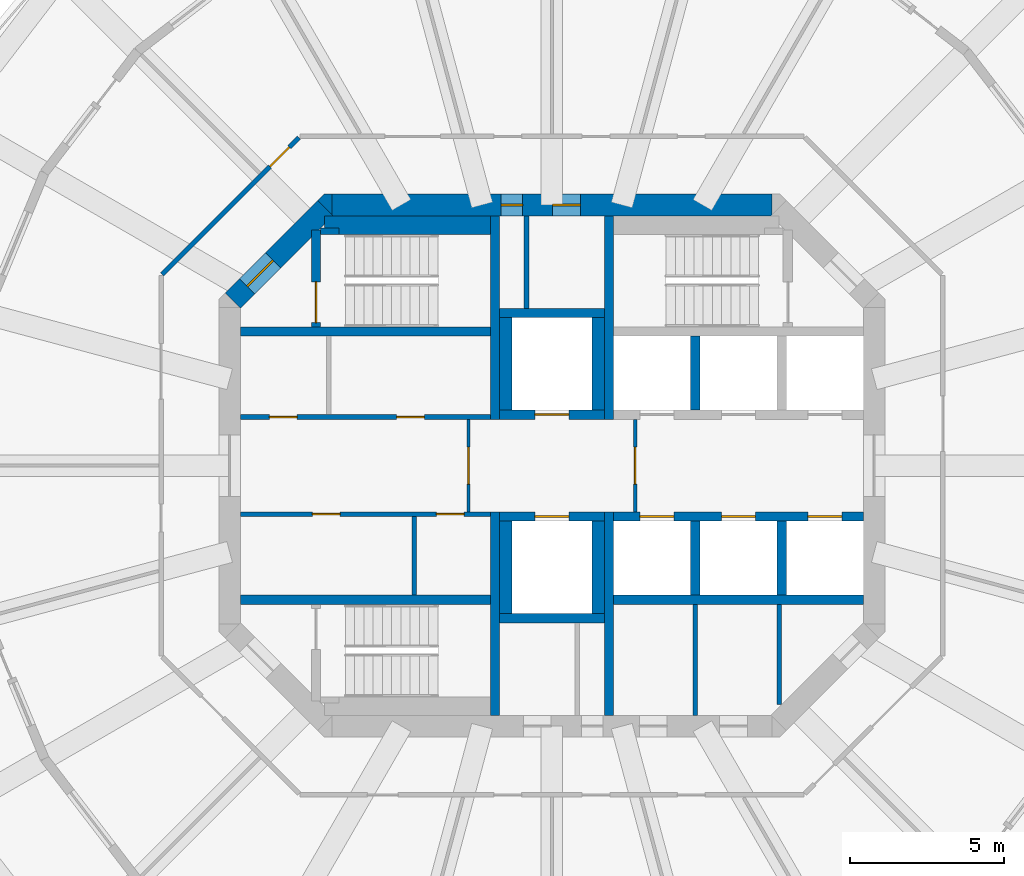
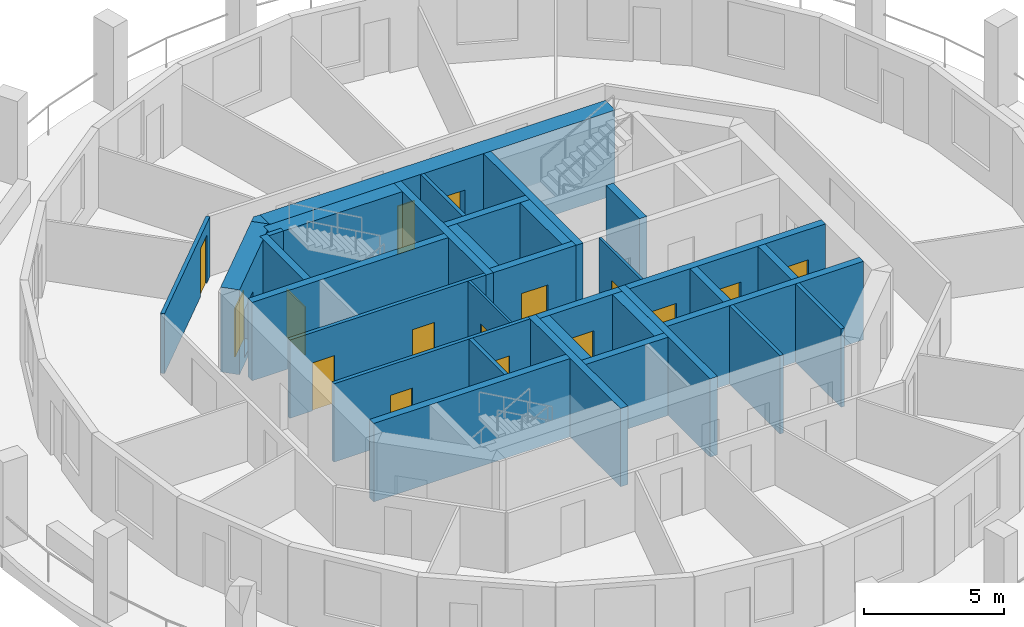
# One storey, part 4 of 9: 34 walls, 16 doors, 16 openings.
"""IFC4 building model written with IfcOpenShell, lengths in metres."""

from ifc_helpers import new_model, si_unit, direction, frame, frame_2d, origin, place, context, subcontext, project, spatial, polyline, rectangle, outline, extrude, material, layer, layer_set, type_object, element, fill, save


model = new_model("IFC4")

# Units and contexts
model_context = context("Model", 3, precision=1e-05, world=origin(), true_north=direction((0.0, 1.0)))
body_context = subcontext(model_context, "Body", "Model", "MODEL_VIEW")
ifc_project = project(units=[si_unit("LENGTHUNIT", "METRE"), si_unit("AREAUNIT", "SQUARE_METRE"), si_unit("VOLUMEUNIT", "CUBIC_METRE"), si_unit("PLANEANGLEUNIT", "RADIAN"), si_unit("MASSUNIT", "GRAM", prefix="KILO")], contexts=[model_context])

# Site, building, storey
site_placement = place(None, origin())
site = spatial("IfcSite", under=ifc_project, at=site_placement, CompositionType="ELEMENT")
building_placement = place(site_placement, origin())
building = spatial("IfcBuilding", under=site, at=building_placement, Name="Torre Triforio", CompositionType="ELEMENT")
storey_placement = place(building_placement, frame((0.0, 0.0, 176.39990234375)))
storey = spatial("IfcBuildingStorey", under=building, at=storey_placement, Name="L40", CompositionType="ELEMENT", Elevation=176.39990234375)

# Walls
ifc_material_1 = material(Name="Concrete C50", Category="concrete")
ifc_layer_1 = layer(ifc_material_1, 0.300048828125)
ifc_layer_set_1 = layer_set([ifc_layer_1], Name="Concrete C50")
wall_type_1 = type_object("IfcWallType", Name="Core wall 300 mm C50 EI 120", PredefinedType="SHEAR", material=ifc_layer_set_1)
for number, where, z_axis, x_axis, name in (
    (1, (-1.85009765625, 1.5, 0.0), (0.0, 0.0, 1.0), (0.0, 1.0, 0.0), "Core wall"),
    (2, (-1.85009765625, -8.10009765625, 0.0), (0.0, 0.0, 1.0), (0.0, 1.0, 0.0), "Core wall"),
    (3, (1.85009765625, 1.5, 0.0), (0.0, 0.0, 1.0), (0.0, 1.0, 0.0), "Core wall"),
    (4, (1.85009765625, -8.10009765625, 0.0), (0.0, 0.0, 1.0), (0.0, 1.0, 0.0), "Core wall"),
):
    element("IfcWall", number, at=place(storey_placement, frame(where, z_axis=z_axis, x_axis=x_axis)), inside=storey, type_object=wall_type_1, Name=name, PredefinedType="SHEAR", context=body_context, shape_type="SweptSolid", body=[
        extrude(rectangle(XDim=6.60009765625, YDim=0.300048828125, at=frame_2d((3.300048828125, 0.0))), origin(), (0.0, 0.0, 1.0), 3.420166015625),
    ])

# Wall, openings, doors
ifc_layer_2 = layer(ifc_material_1, 0.699951171875)
ifc_layer_set_2 = layer_set([ifc_layer_2], Name="Concrete C50")
wall_type_2 = type_object("IfcWallType", Name="Core wall 700 mm C50 EI 120", PredefinedType="SHEAR", material=ifc_layer_set_2)
wall_1_placement = place(storey_placement, frame((-7.1298828125, 8.449951171875, -0.27978515625), z_axis=(0.0, 0.0, 1.0), x_axis=(1.0, 0.0, 0.0)))
wall_1 = element("IfcWall", 5, at=wall_1_placement, inside=storey, type_object=wall_type_2, Name="Core wall", PredefinedType="SHEAR", context=body_context, shape_type="SweptSolid", body=[
    extrude(rectangle(XDim=14.259765625, YDim=0.699951171875, at=frame_2d((7.1298828125, 0.0))), origin(), (0.0, 0.0, 1.0), 3.699951171875),
])
opening_1_placement = place(wall_1_placement, frame((5.47998046875, 0.0, 0.280029296875)))
opening_1 = element("IfcOpeningElement", 6, at=opening_1_placement, cuts=wall_1, Name="Opening RISER-N", PredefinedType="OPENING", context=body_context, shape_type="SweptSolid", body=[
    extrude(rectangle(XDim=0.699951171875, YDim=2.10009765625, at=frame_2d((0.35009765625, 1.050048828125))), frame((0.0, 0.35986328125, 0.0), z_axis=(0.0, -1.0, 0.0), x_axis=(1.0, 0.0, 0.0)), (0.0, 0.0, 1.0), 0.719970703125),
])
opening_2_placement = place(wall_1_placement, frame((7.155029296875, 0.0, 0.280029296875)))
opening_2 = element("IfcOpeningElement", 7, at=opening_2_placement, cuts=wall_1, Name="Opening NE-01", PredefinedType="OPENING", context=body_context, shape_type="SweptSolid", body=[
    extrude(rectangle(XDim=0.89990234375, YDim=2.10009765625, at=frame_2d((0.449951171875, 1.050048828125))), frame((0.0, 0.35986328125, 0.0), z_axis=(0.0, -1.0, 0.0), x_axis=(1.0, 0.0, 0.0)), (0.0, 0.0, 1.0), 0.719970703125),
])
ifc_material_2 = material(Name="Hollow metal fire door leaf")
door_type_1 = type_object("IfcDoorType", Name="Riser door 700 x 2100 EI 60", OperationType="NOTDEFINED", PredefinedType="DOOR", material=ifc_material_2)
door_1_placement = place(opening_1_placement, origin())
door_1 = element("IfcDoor", 8, at=door_1_placement, inside=storey, type_object=door_type_1, Name="Core door RISER-N", OperationType="SINGLE_SWING_LEFT", OverallHeight=2.10009765625, OverallWidth=0.699951171875, PredefinedType="DOOR", context=body_context, shape_type="SweptSolid", body=[
    extrude(rectangle(XDim=0.699951171875, YDim=2.10009765625, at=frame_2d((0.35009765625, 1.050048828125))), frame((0.0, 0.02490234375, 0.0), z_axis=(0.0, -1.0, 0.0), x_axis=(1.0, 0.0, 0.0)), (0.0, 0.0, 1.0), 0.050048828125),
])
fill(opening_1, door_1)
door_type_2 = type_object("IfcDoorType", Name="Room door 900 x 2100 EI 60", OperationType="NOTDEFINED", PredefinedType="DOOR", material=ifc_material_2)
door_2_placement = place(opening_2_placement, origin())
door_2 = element("IfcDoor", 9, at=door_2_placement, inside=storey, type_object=door_type_2, Name="Core door NE-01", OperationType="SINGLE_SWING_RIGHT", OverallHeight=2.10009765625, OverallWidth=0.89990234375, PredefinedType="DOOR", context=body_context, shape_type="SweptSolid", body=[
    extrude(rectangle(XDim=0.89990234375, YDim=2.10009765625, at=frame_2d((0.449951171875, 1.050048828125))), frame((0.0, 0.02490234375, 0.0), z_axis=(0.0, -1.0, 0.0), x_axis=(1.0, 0.0, 0.0)), (0.0, 0.0, 1.0), 0.050048828125),
])
fill(opening_2, door_2)

# Wall, opening, door
wall_2_placement = place(storey_placement, frame((-10.347412109375, 5.347412109375, -0.27978515625), z_axis=(0.0, 0.0, 1.0), x_axis=(0.707106781187, 0.707106781187, 0.0)))
wall_2 = element("IfcWall", 10, at=wall_2_placement, inside=storey, type_object=wall_type_2, Name="Core wall", PredefinedType="SHEAR", context=body_context, shape_type="SweptSolid", body=[
    extrude(rectangle(XDim=4.24267578125, YDim=0.699951171875, at=frame_2d((2.121337890625, 0.0))), origin(), (0.0, 0.0, 1.0), 3.699951171875),
])
opening_3_placement = place(wall_2_placement, frame((0.64990234375, 0.0, 0.280029296875)))
opening_3 = element("IfcOpeningElement", 11, at=opening_3_placement, cuts=wall_2, Name="Opening ST1-EXIT", PredefinedType="OPENING", context=body_context, shape_type="SweptSolid", body=[
    extrude(rectangle(XDim=1.199951171875, YDim=2.10009765625, at=frame_2d((0.60009765625, 1.050048828125))), frame((0.0, 0.35986328125, 0.0), z_axis=(0.0, -1.0, 0.0), x_axis=(1.0, 0.0, 0.0)), (0.0, 0.0, 1.0), 0.719970703125),
])
door_type_3 = type_object("IfcDoorType", Name="Stair lobby door 1200 x 2100 EI 60", OperationType="NOTDEFINED", PredefinedType="DOOR", material=ifc_material_2)
door_3_placement = place(opening_3_placement, origin())
door_3 = element("IfcDoor", 12, at=door_3_placement, inside=storey, type_object=door_type_3, Name="Core door ST1-EXIT", OperationType="SINGLE_SWING_RIGHT", OverallHeight=2.10009765625, OverallWidth=1.199951171875, PredefinedType="DOOR", context=body_context, shape_type="SweptSolid", body=[
    extrude(rectangle(XDim=1.199951171875, YDim=2.10009765625, at=frame_2d((0.60009765625, 1.050048828125))), frame((0.0, 0.02490234375, 0.0), z_axis=(0.0, -1.0, 0.0), x_axis=(1.0, 0.0, 0.0)), (0.0, 0.0, 1.0), 0.050048828125),
])
fill(opening_3, door_3)

# Wall
wall_3_placement = place(storey_placement, frame((0.0, 0.0, -0.27978515625)))
element("IfcWall", 13, at=wall_3_placement, inside=storey, type_object=wall_type_2, Name="Core wall", PredefinedType="SHEAR", context=body_context, shape_type="SweptSolid", body=[
    extrude(outline(polyline([(-7.389892578125, 8.800048828125), (-7.1298828125, 8.800048828125), (-7.1298828125, 8.800048828125), (-7.1298828125, 8.1298828125), (-7.594970703125, 8.594970703125), (-7.594970703125, 8.594970703125), (-7.594970703125, 8.594970703125), (-7.389892578125, 8.800048828125)])), origin(), (0.0, 0.0, 1.0), 3.699951171875),
])

# Wall, opening, door
ifc_material_3 = material(Name="Plasterboard on metal studs")
ifc_layer_3 = layer(ifc_material_3, 0.14990234375)
ifc_layer_set_3 = layer_set([ifc_layer_3], Name="Plasterboard on metal studs")
wall_type_3 = type_object("IfcWallType", Name="Corridor and tenancy wall 150 mm EI 60", PredefinedType="PARTITIONING", material=ifc_layer_set_3)
wall_4_placement = place(storey_placement, frame((-12.637939453125, 6.20361328125, 0.0), z_axis=(0.0, 0.0, 1.0), x_axis=(0.707106781187, 0.707106781187, 0.0)))
wall_4 = element("IfcWall", 14, at=wall_4_placement, inside=storey, type_object=wall_type_3, Name="Partition 5", PredefinedType="PARTITIONING", context=body_context, shape_type="SweptSolid", body=[
    extrude(rectangle(XDim=6.27099609375, YDim=0.14990234375, at=frame_2d((3.135498046875, 0.0))), origin(), (0.0, 0.0, 1.0), 2.6201171875),
])
opening_4_placement = place(wall_4_placement, frame((4.935302734375, 0.0, 0.0)))
opening_4 = element("IfcOpeningElement", 15, at=opening_4_placement, cuts=wall_4, Name="Opening O3-15", PredefinedType="OPENING", context=body_context, shape_type="SweptSolid", body=[
    extrude(rectangle(XDim=0.89990234375, YDim=2.10009765625, at=frame_2d((0.449951171875, 1.050048828125))), frame((0.0, 0.0849609375, 0.0), z_axis=(0.0, -1.0, 0.0), x_axis=(1.0, 0.0, 0.0)), (0.0, 0.0, 1.0), 0.169921875),
])
ifc_material_4 = material(Name="Timber", Category="wood")
door_type_4 = type_object("IfcDoorType", Name="Door 900 x 2100 single leaf EI 30", OperationType="NOTDEFINED", PredefinedType="DOOR", material=ifc_material_4)
door_4_placement = place(opening_4_placement, origin())
door_4 = element("IfcDoor", 16, at=door_4_placement, inside=storey, type_object=door_type_4, Name="Door O3-15", OperationType="SINGLE_SWING_LEFT", OverallHeight=2.10009765625, OverallWidth=0.89990234375, PredefinedType="DOOR", context=body_context, shape_type="SweptSolid", body=[
    extrude(rectangle(XDim=0.89990234375, YDim=2.10009765625, at=frame_2d((0.449951171875, 1.050048828125))), frame((0.0, 0.02490234375, 0.0), z_axis=(0.0, -1.0, 0.0), x_axis=(1.0, 0.0, 0.0)), (0.0, 0.0, 1.0), 0.050048828125),
])
fill(opening_4, door_4)

ifc_material_5 = material(Name="Block and board partition")
ifc_layer_4 = layer(ifc_material_5, 0.10009765625)
ifc_layer_set_4 = layer_set([ifc_layer_4], Name="Block and board partition")
wall_type_4 = type_object("IfcWallType", Name="Partition 100 mm EI 120", PredefinedType="PARTITIONING", material=ifc_layer_set_4)
wall_5_placement = place(storey_placement, frame((-2.699951171875, -1.5, 0.0), z_axis=(0.0, 0.0, 1.0), x_axis=(0.0, 1.0, 0.0)))
wall_5 = element("IfcWall", 17, at=wall_5_placement, inside=storey, type_object=wall_type_4, Name="Partition", PredefinedType="PARTITIONING", context=body_context, shape_type="SweptSolid", body=[
    extrude(rectangle(XDim=3.0, YDim=0.10009765625, at=frame_2d((1.5, 0.0))), origin(), (0.0, 0.0, 1.0), 3.420166015625),
])
opening_5_placement = place(wall_5_placement, frame((0.89990234375, 0.0, 0.0)))
opening_5 = element("IfcOpeningElement", 18, at=opening_5_placement, cuts=wall_5, Name="Opening FF-W", PredefinedType="OPENING", context=body_context, shape_type="SweptSolid", body=[
    extrude(rectangle(XDim=1.199951171875, YDim=2.10009765625, at=frame_2d((0.60009765625, 1.050048828125))), frame((0.0, 0.06005859375, 0.0), z_axis=(0.0, -1.0, 0.0), x_axis=(1.0, 0.0, 0.0)), (0.0, 0.0, 1.0), 0.1201171875),
])
door_type_5 = type_object("IfcDoorType", Name="Fire-fighting lobby door 1200 x 2100 EI 60", OperationType="NOTDEFINED", PredefinedType="DOOR", material=ifc_material_2)
door_5_placement = place(opening_5_placement, origin())
door_5 = element("IfcDoor", 19, at=door_5_placement, inside=storey, type_object=door_type_5, Name="Core door FF-W", OperationType="SINGLE_SWING_LEFT", OverallHeight=2.10009765625, OverallWidth=1.199951171875, PredefinedType="DOOR", context=body_context, shape_type="SweptSolid", body=[
    extrude(rectangle(XDim=1.199951171875, YDim=2.10009765625, at=frame_2d((0.60009765625, 1.050048828125))), frame((0.0, 0.02490234375, 0.0), z_axis=(0.0, -1.0, 0.0), x_axis=(1.0, 0.0, 0.0)), (0.0, 0.0, 1.0), 0.050048828125),
])
fill(opening_5, door_5)

wall_6_placement = place(storey_placement, frame((2.699951171875, -1.5, 0.0), z_axis=(0.0, 0.0, 1.0), x_axis=(0.0, 1.0, 0.0)))
wall_6 = element("IfcWall", 20, at=wall_6_placement, inside=storey, type_object=wall_type_4, Name="Partition", PredefinedType="PARTITIONING", context=body_context, shape_type="SweptSolid", body=[
    extrude(rectangle(XDim=3.0, YDim=0.10009765625, at=frame_2d((1.5, 0.0))), origin(), (0.0, 0.0, 1.0), 3.420166015625),
])
opening_6_placement = place(wall_6_placement, frame((0.89990234375, 0.0, 0.0)))
opening_6 = element("IfcOpeningElement", 21, at=opening_6_placement, cuts=wall_6, Name="Opening FF-E", PredefinedType="OPENING", context=body_context, shape_type="SweptSolid", body=[
    extrude(rectangle(XDim=1.199951171875, YDim=2.10009765625, at=frame_2d((0.60009765625, 1.050048828125))), frame((0.0, 0.06005859375, 0.0), z_axis=(0.0, -1.0, 0.0), x_axis=(1.0, 0.0, 0.0)), (0.0, 0.0, 1.0), 0.1201171875),
])
door_6_placement = place(opening_6_placement, origin())
door_6 = element("IfcDoor", 22, at=door_6_placement, inside=storey, type_object=door_type_5, Name="Core door FF-E", OperationType="SINGLE_SWING_LEFT", OverallHeight=2.10009765625, OverallWidth=1.199951171875, PredefinedType="DOOR", context=body_context, shape_type="SweptSolid", body=[
    extrude(rectangle(XDim=1.199951171875, YDim=2.10009765625, at=frame_2d((0.60009765625, 1.050048828125))), frame((0.0, 0.02490234375, 0.0), z_axis=(0.0, -1.0, 0.0), x_axis=(1.0, 0.0, 0.0)), (0.0, 0.0, 1.0), 0.050048828125),
])
fill(opening_6, door_6)

# Walls
ifc_layer_5 = layer(ifc_material_5, 0.14990234375)
ifc_layer_set_5 = layer_set([ifc_layer_5], Name="Block and board partition")
wall_type_5 = type_object("IfcWallType", Name="Partition 150 mm", PredefinedType="PARTITIONING", material=ifc_layer_set_5)
wall_7_placement = place(storey_placement, frame((4.64892578125, -8.10009765625, 0.0), z_axis=(0.0, 0.0, 1.0), x_axis=(0.0, 1.0, 0.0)))
element("IfcWall", 23, at=wall_7_placement, inside=storey, type_object=wall_type_5, Name="Partition", PredefinedType="PARTITIONING", context=body_context, shape_type="SweptSolid", body=[
    extrude(rectangle(XDim=3.60009765625, YDim=0.14990234375, at=frame_2d((1.800048828125, 0.0))), origin(), (0.0, 0.0, 1.0), 3.420166015625),
])
wall_8_placement = place(storey_placement, frame((7.373046875, -7.751953125, 0.0), z_axis=(0.0, 0.0, 1.0), x_axis=(0.0, 1.0, 0.0)))
element("IfcWall", 24, at=wall_8_placement, inside=storey, type_object=wall_type_5, Name="Partition", PredefinedType="PARTITIONING", context=body_context, shape_type="SweptSolid", body=[
    extrude(rectangle(XDim=3.251953125, YDim=0.14990234375, at=frame_2d((1.6259765625, 0.0))), origin(), (0.0, 0.0, 1.0), 3.420166015625),
])
wall_9_placement = place(storey_placement, frame((-4.4599609375, -4.199951171875, 0.0), z_axis=(0.0, 0.0, 1.0), x_axis=(0.0, 1.0, 0.0)))
element("IfcWall", 25, at=wall_9_placement, inside=storey, type_object=wall_type_5, Name="Partition", PredefinedType="PARTITIONING", context=body_context, shape_type="SweptSolid", body=[
    extrude(rectangle(XDim=2.550048828125, YDim=0.14990234375, at=frame_2d((1.27490234375, 0.0))), origin(), (0.0, 0.0, 1.0), 3.420166015625),
])
ifc_layer_6 = layer(ifc_material_5, 0.14990234375)
ifc_layer_set_6 = layer_set([ifc_layer_6], Name="Block and board partition")
wall_type_6 = type_object("IfcWallType", Name="Partition 150 mm EI 120", PredefinedType="PARTITIONING", material=ifc_layer_set_6)
wall_10_placement = place(storey_placement, frame((-0.824951171875, 5.10009765625, 0.0), z_axis=(0.0, 0.0, 1.0), x_axis=(0.0, 1.0, 0.0)))
element("IfcWall", 26, at=wall_10_placement, inside=storey, type_object=wall_type_6, Name="Partition", PredefinedType="PARTITIONING", context=body_context, shape_type="SweptSolid", body=[
    extrude(rectangle(XDim=3.0, YDim=0.14990234375, at=frame_2d((1.5, 0.0))), origin(), (0.0, 0.0, 1.0), 3.420166015625),
])

# Wall, openings, doors
wall_11_placement = place(storey_placement, frame((-10.10009765625, 1.574951171875, 0.0), z_axis=(0.0, 0.0, 1.0), x_axis=(1.0, 0.0, 0.0)))
wall_11 = element("IfcWall", 27, at=wall_11_placement, inside=storey, type_object=wall_type_6, Name="Partition", PredefinedType="PARTITIONING", context=body_context, shape_type="SweptSolid", body=[
    extrude(rectangle(XDim=8.10009765625, YDim=0.14990234375, at=frame_2d((4.050048828125, 0.0))), origin(), (0.0, 0.0, 1.0), 3.420166015625),
])
opening_7_placement = place(wall_11_placement, frame((0.941162109375, 0.0, 0.0)))
opening_7 = element("IfcOpeningElement", 28, at=opening_7_placement, cuts=wall_11, Name="Opening FN-01A", PredefinedType="OPENING", context=body_context, shape_type="SweptSolid", body=[
    extrude(rectangle(XDim=0.89990234375, YDim=2.10009765625, at=frame_2d((0.449951171875, 1.050048828125))), frame((0.0, 0.0849609375, 0.0), z_axis=(0.0, -1.0, 0.0), x_axis=(1.0, 0.0, 0.0)), (0.0, 0.0, 1.0), 0.169921875),
])
opening_8_placement = place(wall_11_placement, frame((5.066162109375, 0.0, 0.0)))
opening_8 = element("IfcOpeningElement", 29, at=opening_8_placement, cuts=wall_11, Name="Opening FN-02", PredefinedType="OPENING", context=body_context, shape_type="SweptSolid", body=[
    extrude(rectangle(XDim=0.89990234375, YDim=2.10009765625, at=frame_2d((0.449951171875, 1.050048828125))), frame((0.0, 0.0849609375, 0.0), z_axis=(0.0, -1.0, 0.0), x_axis=(1.0, 0.0, 0.0)), (0.0, 0.0, 1.0), 0.169921875),
])
door_type_6 = type_object("IfcDoorType", Name="Plant room door 900 x 2100 EI 60", OperationType="NOTDEFINED", PredefinedType="DOOR", material=ifc_material_2)
door_7_placement = place(opening_7_placement, origin())
door_7 = element("IfcDoor", 30, at=door_7_placement, inside=storey, type_object=door_type_6, Name="Core door FN-01", OperationType="SINGLE_SWING_RIGHT", OverallHeight=2.10009765625, OverallWidth=0.89990234375, PredefinedType="DOOR", context=body_context, shape_type="SweptSolid", body=[
    extrude(rectangle(XDim=0.89990234375, YDim=2.10009765625, at=frame_2d((0.449951171875, 1.050048828125))), frame((0.0, 0.02490234375, 0.0), z_axis=(0.0, -1.0, 0.0), x_axis=(1.0, 0.0, 0.0)), (0.0, 0.0, 1.0), 0.050048828125),
])
fill(opening_7, door_7)
door_8_placement = place(opening_8_placement, origin())
door_8 = element("IfcDoor", 31, at=door_8_placement, inside=storey, type_object=door_type_2, Name="Core door FN-02", OperationType="SINGLE_SWING_RIGHT", OverallHeight=2.10009765625, OverallWidth=0.89990234375, PredefinedType="DOOR", context=body_context, shape_type="SweptSolid", body=[
    extrude(rectangle(XDim=0.89990234375, YDim=2.10009765625, at=frame_2d((0.449951171875, 1.050048828125))), frame((0.0, 0.02490234375, 0.0), z_axis=(0.0, -1.0, 0.0), x_axis=(1.0, 0.0, 0.0)), (0.0, 0.0, 1.0), 0.050048828125),
])
fill(opening_8, door_8)

wall_12_placement = place(storey_placement, frame((-10.10009765625, -1.574951171875, 0.0), z_axis=(0.0, 0.0, 1.0), x_axis=(1.0, 0.0, 0.0)))
wall_12 = element("IfcWall", 32, at=wall_12_placement, inside=storey, type_object=wall_type_6, Name="Partition", PredefinedType="PARTITIONING", context=body_context, shape_type="SweptSolid", body=[
    extrude(rectangle(XDim=8.10009765625, YDim=0.14990234375, at=frame_2d((4.050048828125, 0.0))), origin(), (0.0, 0.0, 1.0), 3.420166015625),
])
opening_9_placement = place(wall_12_placement, frame((2.33251953125, 0.0, 0.0)))
opening_9 = element("IfcOpeningElement", 33, at=opening_9_placement, cuts=wall_12, Name="Opening FS-01", PredefinedType="OPENING", context=body_context, shape_type="SweptSolid", body=[
    extrude(rectangle(XDim=0.89990234375, YDim=2.10009765625, at=frame_2d((0.449951171875, 1.050048828125))), frame((0.0, 0.0849609375, 0.0), z_axis=(0.0, -1.0, 0.0), x_axis=(1.0, 0.0, 0.0)), (0.0, 0.0, 1.0), 0.169921875),
])
opening_10_placement = place(wall_12_placement, frame((6.35009765625, 0.0, 0.0)))
opening_10 = element("IfcOpeningElement", 34, at=opening_10_placement, cuts=wall_12, Name="Opening FS-02A", PredefinedType="OPENING", context=body_context, shape_type="SweptSolid", body=[
    extrude(rectangle(XDim=0.89990234375, YDim=2.10009765625, at=frame_2d((0.449951171875, 1.050048828125))), frame((0.0, 0.0849609375, 0.0), z_axis=(0.0, -1.0, 0.0), x_axis=(1.0, 0.0, 0.0)), (0.0, 0.0, 1.0), 0.169921875),
])
door_9_placement = place(opening_10_placement, origin())
door_9 = element("IfcDoor", 35, at=door_9_placement, inside=storey, type_object=door_type_6, Name="Core door FS-02", OperationType="SINGLE_SWING_LEFT", OverallHeight=2.10009765625, OverallWidth=0.89990234375, PredefinedType="DOOR", context=body_context, shape_type="SweptSolid", body=[
    extrude(rectangle(XDim=0.89990234375, YDim=2.10009765625, at=frame_2d((0.449951171875, 1.050048828125))), frame((0.0, 0.02490234375, 0.0), z_axis=(0.0, -1.0, 0.0), x_axis=(1.0, 0.0, 0.0)), (0.0, 0.0, 1.0), 0.050048828125),
])
fill(opening_10, door_9)
door_10_placement = place(opening_9_placement, origin())
door_10 = element("IfcDoor", 36, at=door_10_placement, inside=storey, type_object=door_type_2, Name="Core door FS-01", OperationType="SINGLE_SWING_LEFT", OverallHeight=2.10009765625, OverallWidth=0.89990234375, PredefinedType="DOOR", context=body_context, shape_type="SweptSolid", body=[
    extrude(rectangle(XDim=0.89990234375, YDim=2.10009765625, at=frame_2d((0.449951171875, 1.050048828125))), frame((0.0, 0.02490234375, 0.0), z_axis=(0.0, -1.0, 0.0), x_axis=(1.0, 0.0, 0.0)), (0.0, 0.0, 1.0), 0.050048828125),
])
fill(opening_9, door_10)

# Walls
ifc_layer_7 = layer(ifc_material_1, 0.300048828125)
ifc_layer_set_7 = layer_set([ifc_layer_7], Name="Concrete C50")
wall_type_7 = type_object("IfcWallType", Name="Shaft wall 300 mm C50 EI 120", PredefinedType="SOLIDWALL", material=ifc_layer_set_7)
for number, where, z_axis, x_axis, name in (
    (37, (-10.10009765625, 4.35009765625, 0.0), (0.0, 0.0, 1.0), (1.0, 0.0, 0.0), "Shaft wall"),
    (38, (-10.10009765625, -4.35009765625, 0.0), (0.0, 0.0, 1.0), (1.0, 0.0, 0.0), "Shaft wall"),
    (39, (2.0, -4.35009765625, 0.0), (0.0, 0.0, 1.0), (1.0, 0.0, 0.0), "Shaft wall"),
):
    element("IfcWall", number, at=place(storey_placement, frame(where, z_axis=z_axis, x_axis=x_axis)), inside=storey, type_object=wall_type_7, Name=name, PredefinedType="SOLIDWALL", context=body_context, shape_type="SweptSolid", body=[
        extrude(rectangle(XDim=8.10009765625, YDim=0.300048828125, at=frame_2d((4.050048828125, 0.0))), origin(), (0.0, 0.0, 1.0), 3.420166015625),
    ])

# Wall, openings, doors
wall_13_placement = place(storey_placement, frame((2.0, -1.64990234375, 0.0), z_axis=(0.0, 0.0, 1.0), x_axis=(1.0, 0.0, 0.0)))
wall_13 = element("IfcWall", 40, at=wall_13_placement, inside=storey, type_object=wall_type_7, Name="Shaft wall", PredefinedType="SOLIDWALL", context=body_context, shape_type="SweptSolid", body=[
    extrude(rectangle(XDim=8.10009765625, YDim=0.300048828125, at=frame_2d((4.050048828125, 0.0))), origin(), (0.0, 0.0, 1.0), 3.420166015625),
])
opening_11_placement = place(wall_13_placement, frame((0.85009765625, 0.0, 0.0)))
opening_11 = element("IfcOpeningElement", 41, at=opening_11_placement, cuts=wall_13, Name="Opening LD", PredefinedType="OPENING", context=body_context, shape_type="SweptSolid", body=[
    extrude(rectangle(XDim=1.10009765625, YDim=2.10009765625, at=frame_2d((0.550048828125, 1.050048828125))), frame((0.0, 0.159912109375, 0.0), z_axis=(0.0, -1.0, 0.0), x_axis=(1.0, 0.0, 0.0)), (0.0, 0.0, 1.0), 0.320068359375),
])
opening_12_placement = place(wall_13_placement, frame((3.5, 0.0, 0.0)))
opening_12 = element("IfcOpeningElement", 42, at=opening_12_placement, cuts=wall_13, Name="Opening LD", PredefinedType="OPENING", context=body_context, shape_type="SweptSolid", body=[
    extrude(rectangle(XDim=1.10009765625, YDim=2.10009765625, at=frame_2d((0.550048828125, 1.050048828125))), frame((0.0, 0.159912109375, 0.0), z_axis=(0.0, -1.0, 0.0), x_axis=(1.0, 0.0, 0.0)), (0.0, 0.0, 1.0), 0.320068359375),
])
opening_13_placement = place(wall_13_placement, frame((6.300048828125, 0.0, 0.0)))
opening_13 = element("IfcOpeningElement", 43, at=opening_13_placement, cuts=wall_13, Name="Opening LD", PredefinedType="OPENING", context=body_context, shape_type="SweptSolid", body=[
    extrude(rectangle(XDim=1.10009765625, YDim=2.10009765625, at=frame_2d((0.550048828125, 1.050048828125))), frame((0.0, 0.159912109375, 0.0), z_axis=(0.0, -1.0, 0.0), x_axis=(1.0, 0.0, 0.0)), (0.0, 0.0, 1.0), 0.320068359375),
])
door_type_7 = type_object("IfcDoorType", Name="Landing door 1100 x 2100 EI 60", OperationType="DOUBLE_DOOR_SLIDING", PredefinedType="DOOR", material=ifc_material_2)
door_11_placement = place(opening_11_placement, origin())
door_11 = element("IfcDoor", 44, at=door_11_placement, inside=storey, type_object=door_type_7, Name="Landing door HR4", OperationType="DOUBLE_DOOR_SLIDING", OverallHeight=2.10009765625, OverallWidth=1.10009765625, PredefinedType="DOOR", context=body_context, shape_type="SweptSolid", body=[
    extrude(rectangle(XDim=1.10009765625, YDim=2.10009765625, at=frame_2d((0.550048828125, 1.050048828125))), frame((0.0, 0.02490234375, 0.0), z_axis=(0.0, -1.0, 0.0), x_axis=(1.0, 0.0, 0.0)), (0.0, 0.0, 1.0), 0.050048828125),
])
fill(opening_11, door_11)
door_12_placement = place(opening_12_placement, origin())
door_12 = element("IfcDoor", 45, at=door_12_placement, inside=storey, type_object=door_type_7, Name="Landing door HR5", OperationType="DOUBLE_DOOR_SLIDING", OverallHeight=2.10009765625, OverallWidth=1.10009765625, PredefinedType="DOOR", context=body_context, shape_type="SweptSolid", body=[
    extrude(rectangle(XDim=1.10009765625, YDim=2.10009765625, at=frame_2d((0.550048828125, 1.050048828125))), frame((0.0, 0.02490234375, 0.0), z_axis=(0.0, -1.0, 0.0), x_axis=(1.0, 0.0, 0.0)), (0.0, 0.0, 1.0), 0.050048828125),
])
fill(opening_12, door_12)
door_13_placement = place(opening_13_placement, origin())
door_13 = element("IfcDoor", 46, at=door_13_placement, inside=storey, type_object=door_type_7, Name="Landing door HR6", OperationType="DOUBLE_DOOR_SLIDING", OverallHeight=2.10009765625, OverallWidth=1.10009765625, PredefinedType="DOOR", context=body_context, shape_type="SweptSolid", body=[
    extrude(rectangle(XDim=1.10009765625, YDim=2.10009765625, at=frame_2d((0.550048828125, 1.050048828125))), frame((0.0, 0.02490234375, 0.0), z_axis=(0.0, -1.0, 0.0), x_axis=(1.0, 0.0, 0.0)), (0.0, 0.0, 1.0), 0.050048828125),
])
fill(opening_13, door_13)

# Walls
for number, where, z_axis, x_axis, name in (
    (47, (4.64990234375, 1.800048828125, 0.0), (0.0, 0.0, 1.0), (0.0, 1.0, 0.0), "Shaft wall"),
    (48, (4.64990234375, -4.199951171875, 0.0), (0.0, 0.0, 1.0), (0.0, 1.0, 0.0), "Shaft wall"),
    (49, (7.449951171875, -4.199951171875, 0.0), (0.0, 0.0, 1.0), (0.0, 1.0, 0.0), "Shaft wall"),
):
    element("IfcWall", number, at=place(storey_placement, frame(where, z_axis=z_axis, x_axis=x_axis)), inside=storey, type_object=wall_type_7, Name=name, PredefinedType="SOLIDWALL", context=body_context, shape_type="SweptSolid", body=[
        extrude(rectangle(XDim=2.39990234375, YDim=0.300048828125, at=frame_2d((1.199951171875, 0.0))), origin(), (0.0, 0.0, 1.0), 3.420166015625),
    ])

# Wall, opening, door
wall_14_placement = place(storey_placement, frame((-1.699951171875, 1.64990234375, 0.0), z_axis=(0.0, 0.0, 1.0), x_axis=(1.0, 0.0, 0.0)))
wall_14 = element("IfcWall", 50, at=wall_14_placement, inside=storey, type_object=wall_type_7, Name="Shaft wall", PredefinedType="SOLIDWALL", context=body_context, shape_type="SweptSolid", body=[
    extrude(rectangle(XDim=3.39990234375, YDim=0.300048828125, at=frame_2d((1.699951171875, 0.0))), origin(), (0.0, 0.0, 1.0), 3.420166015625),
])
opening_14_placement = place(wall_14_placement, frame((1.14990234375, 0.0, 0.0)))
opening_14 = element("IfcOpeningElement", 51, at=opening_14_placement, cuts=wall_14, Name="Opening LD", PredefinedType="OPENING", context=body_context, shape_type="SweptSolid", body=[
    extrude(rectangle(XDim=1.10009765625, YDim=2.10009765625, at=frame_2d((0.550048828125, 1.050048828125))), frame((0.0, 0.159912109375, 0.0), z_axis=(0.0, -1.0, 0.0), x_axis=(1.0, 0.0, 0.0)), (0.0, 0.0, 1.0), 0.320068359375),
])
door_14_placement = place(opening_14_placement, origin())
door_14 = element("IfcDoor", 52, at=door_14_placement, inside=storey, type_object=door_type_7, Name="Landing door FFL1", OperationType="DOUBLE_DOOR_SLIDING", OverallHeight=2.10009765625, OverallWidth=1.10009765625, PredefinedType="DOOR", context=body_context, shape_type="SweptSolid", body=[
    extrude(rectangle(XDim=1.10009765625, YDim=2.10009765625, at=frame_2d((0.550048828125, 1.050048828125))), frame((0.0, 0.02490234375, 0.0), z_axis=(0.0, -1.0, 0.0), x_axis=(1.0, 0.0, 0.0)), (0.0, 0.0, 1.0), 0.050048828125),
])
fill(opening_14, door_14)

wall_15_placement = place(storey_placement, frame((-1.699951171875, -1.64990234375, 0.0), z_axis=(0.0, 0.0, 1.0), x_axis=(1.0, 0.0, 0.0)))
wall_15 = element("IfcWall", 53, at=wall_15_placement, inside=storey, type_object=wall_type_7, Name="Shaft wall", PredefinedType="SOLIDWALL", context=body_context, shape_type="SweptSolid", body=[
    extrude(rectangle(XDim=3.39990234375, YDim=0.300048828125, at=frame_2d((1.699951171875, 0.0))), origin(), (0.0, 0.0, 1.0), 3.420166015625),
])
opening_15_placement = place(wall_15_placement, frame((1.14990234375, 0.0, 0.0)))
opening_15 = element("IfcOpeningElement", 54, at=opening_15_placement, cuts=wall_15, Name="Opening LD", PredefinedType="OPENING", context=body_context, shape_type="SweptSolid", body=[
    extrude(rectangle(XDim=1.10009765625, YDim=2.10009765625, at=frame_2d((0.550048828125, 1.050048828125))), frame((0.0, 0.159912109375, 0.0), z_axis=(0.0, -1.0, 0.0), x_axis=(1.0, 0.0, 0.0)), (0.0, 0.0, 1.0), 0.320068359375),
])
door_15_placement = place(opening_15_placement, origin())
door_15 = element("IfcDoor", 55, at=door_15_placement, inside=storey, type_object=door_type_7, Name="Landing door FFL2", OperationType="DOUBLE_DOOR_SLIDING", OverallHeight=2.10009765625, OverallWidth=1.10009765625, PredefinedType="DOOR", context=body_context, shape_type="SweptSolid", body=[
    extrude(rectangle(XDim=1.10009765625, YDim=2.10009765625, at=frame_2d((0.550048828125, 1.050048828125))), frame((0.0, 0.02490234375, 0.0), z_axis=(0.0, -1.0, 0.0), x_axis=(1.0, 0.0, 0.0)), (0.0, 0.0, 1.0), 0.050048828125),
])
fill(opening_15, door_15)

# Walls
for number, where, z_axis, x_axis, name in (
    (56, (-1.699951171875, 4.949951171875, 0.0), (0.0, 0.0, 1.0), (1.0, 0.0, 0.0), "Shaft wall"),
    (57, (-1.699951171875, -4.949951171875, 0.0), (0.0, 0.0, 1.0), (1.0, 0.0, 0.0), "Shaft wall"),
):
    element("IfcWall", number, at=place(storey_placement, frame(where, z_axis=z_axis, x_axis=x_axis)), inside=storey, type_object=wall_type_7, Name=name, PredefinedType="SOLIDWALL", context=body_context, shape_type="SweptSolid", body=[
        extrude(rectangle(XDim=3.39990234375, YDim=0.300048828125, at=frame_2d((1.699951171875, 0.0))), origin(), (0.0, 0.0, 1.0), 3.420166015625),
    ])
ifc_layer_8 = layer(ifc_material_1, 0.39990234375)
ifc_layer_set_8 = layer_set([ifc_layer_8], Name="Concrete C50")
wall_type_8 = type_object("IfcWallType", Name="Shaft wall 400 mm C50 EI 120", PredefinedType="SOLIDWALL", material=ifc_layer_set_8)
for number, where, z_axis, x_axis, name in (
    (58, (-1.5, 1.800048828125, 0.0), (0.0, 0.0, 1.0), (0.0, 1.0, 0.0), "Shaft wall"),
    (59, (-1.5, -4.800048828125, 0.0), (0.0, 0.0, 1.0), (0.0, 1.0, 0.0), "Shaft wall"),
    (60, (1.5, 1.800048828125, 0.0), (0.0, 0.0, 1.0), (0.0, 1.0, 0.0), "Shaft wall"),
    (61, (1.5, -4.800048828125, 0.0), (0.0, 0.0, 1.0), (0.0, 1.0, 0.0), "Shaft wall"),
):
    element("IfcWall", number, at=place(storey_placement, frame(where, z_axis=z_axis, x_axis=x_axis)), inside=storey, type_object=wall_type_8, Name=name, PredefinedType="SOLIDWALL", context=body_context, shape_type="SweptSolid", body=[
        extrude(rectangle(XDim=3.0, YDim=0.39990234375, at=frame_2d((1.5, 0.0))), origin(), (0.0, 0.0, 1.0), 3.420166015625),
    ])
ifc_layer_9 = layer(ifc_material_1, 0.199951171875)
ifc_layer_set_9 = layer_set([ifc_layer_9], Name="Concrete C50")
wall_type_9 = type_object("IfcWallType", Name="Stair wall 200 mm C50 EI 120", PredefinedType="SHEAR", material=ifc_layer_set_9)
wall_16_placement = place(storey_placement, frame((-7.5, 7.60009765625, 0.0), z_axis=(0.0, 0.0, 1.0), x_axis=(1.0, 0.0, 0.0)))
element("IfcWall", 62, at=wall_16_placement, inside=storey, type_object=wall_type_9, Name="Stair wall", PredefinedType="SHEAR", context=body_context, shape_type="SweptSolid", body=[
    extrude(rectangle(XDim=0.60009765625, YDim=0.199951171875, at=frame_2d((0.300048828125, 0.0))), origin(), (0.0, 0.0, 1.0), 3.420166015625),
])

# Wall, opening, door
ifc_layer_10 = layer(ifc_material_1, 0.300048828125)
ifc_layer_set_10 = layer_set([ifc_layer_10], Name="Concrete C50")
wall_type_10 = type_object("IfcWallType", Name="Stair wall 300 mm C50 EI 120", PredefinedType="SHEAR", material=ifc_layer_set_10)
wall_17_placement = place(storey_placement, frame((-7.64990234375, 4.5, 0.0), z_axis=(0.0, 0.0, 1.0), x_axis=(0.0, 1.0, 0.0)))
wall_17 = element("IfcWall", 63, at=wall_17_placement, inside=storey, type_object=wall_type_10, Name="Stair wall", PredefinedType="SHEAR", context=body_context, shape_type="SweptSolid", body=[
    extrude(rectangle(XDim=3.139892578125, YDim=0.300048828125, at=frame_2d((1.56982421875, 0.0))), origin(), (0.0, 0.0, 1.0), 3.420166015625),
])
opening_16_placement = place(wall_17_placement, frame((0.139892578125, 0.0, 0.0)))
opening_16 = element("IfcOpeningElement", 64, at=opening_16_placement, cuts=wall_17, Name="Opening ST1-STA", PredefinedType="OPENING", context=body_context, shape_type="SweptSolid", body=[
    extrude(rectangle(XDim=1.320068359375, YDim=2.10009765625, at=frame_2d((0.66015625, 1.050048828125))), frame((0.0, 0.159912109375, 0.0), z_axis=(0.0, -1.0, 0.0), x_axis=(1.0, 0.0, 0.0)), (0.0, 0.0, 1.0), 0.320068359375),
])
door_type_8 = type_object("IfcDoorType", Name="Stair door 1320 x 2100 EI 90", OperationType="DOUBLE_DOOR_SINGLE_SWING", PredefinedType="DOOR", material=ifc_material_2)
door_16_placement = place(opening_16_placement, origin())
door_16 = element("IfcDoor", 65, at=door_16_placement, inside=storey, type_object=door_type_8, Name="Core door ST1-ST", OperationType="DOUBLE_DOOR_SINGLE_SWING", OverallHeight=2.10009765625, OverallWidth=1.320068359375, PredefinedType="DOOR", context=body_context, shape_type="SweptSolid", body=[
    extrude(rectangle(XDim=1.320068359375, YDim=2.10009765625, at=frame_2d((0.66015625, 1.050048828125))), frame((0.0, 0.02490234375, 0.0), z_axis=(0.0, -1.0, 0.0), x_axis=(1.0, 0.0, 0.0)), (0.0, 0.0, 1.0), 0.050048828125),
])
fill(opening_16, door_16)

# Wall
ifc_layer_11 = layer(ifc_material_1, 0.60009765625)
ifc_layer_set_11 = layer_set([ifc_layer_11], Name="Concrete C50")
wall_type_11 = type_object("IfcWallType", Name="Stair wall 600 mm C50 EI 120", PredefinedType="SHEAR", material=ifc_layer_set_11)
wall_18_placement = place(storey_placement, frame((-7.3701171875, 7.800048828125, 0.0), z_axis=(0.0, 0.0, 1.0), x_axis=(1.0, 0.0, 0.0)))
element("IfcWall", 66, at=wall_18_placement, inside=storey, type_object=wall_type_11, Name="Stair wall", PredefinedType="SHEAR", context=body_context, shape_type="SweptSolid", body=[
    extrude(rectangle(XDim=5.3701171875, YDim=0.60009765625, at=frame_2d((2.68505859375, 0.0))), origin(), (0.0, 0.0, 1.0), 3.420166015625),
])

save(model, "model.ifc")
